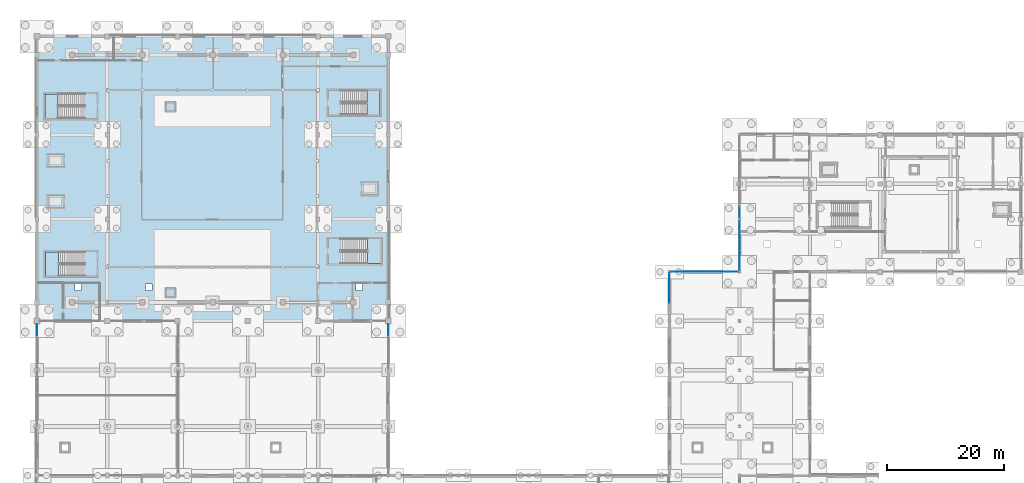
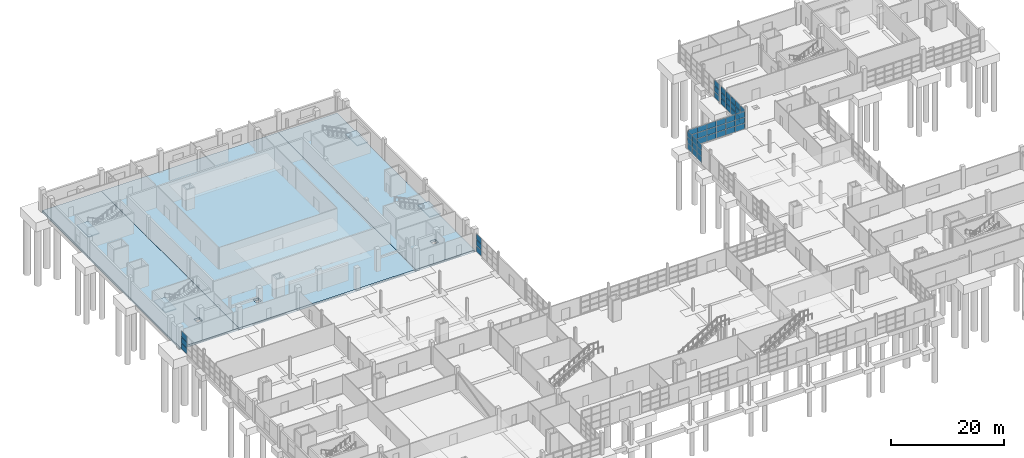
# One storey, part 49 of 82: 51 plates, 7 slabs, 10 elements without a shape of their own.
"""IFC4 building model written with IfcOpenShell, lengths in metres."""

from ifc_helpers import new_model, si_unit, direction, frame, origin, origin_2d, place, context, subcontext, project, spatial, polyline, rectangle, outline, extrude, material, layer, layer_set, type_object, element, aggregate, save


model = new_model("IFC4")

# Units and contexts
model_context = context("Model", 3, precision=1e-05, world=origin(), true_north=direction((0.0, 1.0)))
body_context = subcontext(model_context, "Body", "Model", "MODEL_VIEW")
ifc_project = project(units=[si_unit("LENGTHUNIT", "METRE"), si_unit("AREAUNIT", "SQUARE_METRE"), si_unit("VOLUMEUNIT", "CUBIC_METRE"), si_unit("PLANEANGLEUNIT", "RADIAN"), si_unit("MASSUNIT", "GRAM", prefix="KILO")], contexts=[model_context])

# Site, building, storey
site_placement = place(None, origin())
site = spatial("IfcSite", under=ifc_project, at=site_placement, CompositionType="ELEMENT")
building_placement = place(site_placement, origin())
building = spatial("IfcBuilding", under=site, at=building_placement, Name="Kelmvaro Bay Concert Hall", CompositionType="ELEMENT")
storey_placement = place(building_placement, origin())
storey = spatial("IfcBuildingStorey", under=building, at=storey_placement, Name="L00", CompositionType="ELEMENT", Elevation=0.0)

# Slab
ifc_material_1 = material(Name="Concrete C40/50", Category="concrete")
ifc_layer_1 = layer(ifc_material_1, 0.5)
ifc_layer_set_1 = layer_set([ifc_layer_1], Name="Concrete C40/50")
slab_type_1 = type_object("IfcSlabType", Name="Acoustic Hall Floating Base Mat 500", PredefinedType="BASESLAB", material=ifc_layer_set_1)
slab_1_placement = place(storey_placement, frame((0.0, 0.0, -0.5)))
element("IfcSlab", 1, at=slab_1_placement, inside=storey, type_object=slab_type_1, Name="L00 Structural Slab V1-C", PredefinedType="BASESLAB", context=body_context, shape_type="SweptSolid", body=[
    extrude(outline(polyline([(12.0, 65.39990234375), (48.0, 65.39990234375), (48.0, 114.0), (12.0, 114.0), (12.0, 65.39990234375)]), holes=[polyline([(18.5, 70.60009765625), (19.60009765625, 70.60009765625), (19.60009765625, 71.699951171875), (18.5, 71.699951171875), (18.5, 70.60009765625)])]), origin(), (0.0, 0.0, 1.0), 0.5),
])

# Stair, slab
ifc_material_2 = material(Name="Concrete C40/50", Category="concrete")
stair_type_1 = type_object("IfcStairType", Name="Core Dogleg Exit Stair 1980", PredefinedType="USERDEFINED", material=ifc_material_2)
stair_1_placement = place(storey_placement, origin())
stair_1 = element("IfcStair", 2, at=stair_1_placement, inside=storey, type_object=stair_type_1, Name="L00 Exit Stair ST-01", ObjectType="TWO_RETURN_STAIR", PredefinedType="USERDEFINED")
ifc_material_3 = material(Name="Concrete C40/50", Category="concrete")
ifc_layer_2 = layer(ifc_material_3, 0.199951171875)
ifc_layer_set_2 = layer_set([ifc_layer_2], Name="Concrete C40/50")
slab_type_2 = type_object("IfcSlabType", Name="Core Stair Half-Landing Slab 200", PredefinedType="LANDING", material=ifc_layer_set_2)
slab_2_placement = place(storey_placement, frame((0.0, 0.0, 2.199951171875)))
slab_2 = element("IfcSlab", 3, at=slab_2_placement, type_object=slab_type_2, Name="ST-01 landing 1", PredefinedType="LANDING", context=body_context, shape_type="SweptSolid", body=[
    extrude(outline(polyline([(3.696044921875, 77.199951171875), (1.449951171875, 77.199951171875), (1.449951171875, 73.090087890625), (3.696044921875, 73.090087890625), (3.696044921875, 77.199951171875)])), origin(), (0.0, 0.0, 1.0), 0.199951171875),
])
aggregate(stair_1, [slab_2])

ifc_material_4 = material(Name="Concrete C40/50", Category="concrete")
stair_type_2 = type_object("IfcStairType", Name="Core Dogleg Exit Stair 2000", PredefinedType="USERDEFINED", material=ifc_material_4)
stair_2_placement = place(storey_placement, origin())
stair_2 = element("IfcStair", 4, at=stair_2_placement, inside=storey, type_object=stair_type_2, Name="L00 Exit Stair ST-02", ObjectType="TWO_RETURN_STAIR", PredefinedType="USERDEFINED")
slab_3_placement = place(storey_placement, frame((0.0, 0.0, 2.199951171875)))
slab_3 = element("IfcSlab", 5, at=slab_3_placement, type_object=slab_type_2, Name="ST-02 landing 1", PredefinedType="LANDING", context=body_context, shape_type="SweptSolid", body=[
    extrude(outline(polyline([(56.35009765625, 100.60009765625), (58.60009765625, 100.60009765625), (58.60009765625, 104.75), (56.35009765625, 104.75), (56.35009765625, 100.60009765625)])), origin(), (0.0, 0.0, 1.0), 0.199951171875),
])
aggregate(stair_2, [slab_3])

ifc_material_5 = material(Name="Concrete C40/50", Category="concrete")
stair_type_3 = type_object("IfcStairType", Name="Core Dogleg Exit Stair 2020", PredefinedType="USERDEFINED", material=ifc_material_5)
stair_3_placement = place(storey_placement, origin())
stair_3 = element("IfcStair", 6, at=stair_3_placement, inside=storey, type_object=stair_type_3, Name="L00 Exit Stair ST-03", ObjectType="TWO_RETURN_STAIR", PredefinedType="USERDEFINED")
slab_4_placement = place(storey_placement, frame((0.0, 0.0, 2.199951171875)))
slab_4 = element("IfcSlab", 7, at=slab_4_placement, type_object=slab_type_2, Name="ST-03 landing 1", PredefinedType="LANDING", context=body_context, shape_type="SweptSolid", body=[
    extrude(outline(polyline([(3.60400390625, 104.199951171875), (1.35009765625, 104.199951171875), (1.35009765625, 100.010009765625), (3.60400390625, 100.010009765625), (3.60400390625, 104.199951171875)])), origin(), (0.0, 0.0, 1.0), 0.199951171875),
])
aggregate(stair_3, [slab_4])

ifc_material_6 = material(Name="Concrete C40/50", Category="concrete")
stair_type_4 = type_object("IfcStairType", Name="Core Dogleg Exit Stair 2050", PredefinedType="USERDEFINED", material=ifc_material_6)
stair_4_placement = place(storey_placement, origin())
stair_4 = element("IfcStair", 8, at=stair_4_placement, inside=storey, type_object=stair_type_4, Name="L00 Exit Stair ST-04", ObjectType="TWO_RETURN_STAIR", PredefinedType="USERDEFINED")
slab_5_placement = place(storey_placement, frame((0.0, 0.0, 2.199951171875)))
slab_5 = element("IfcSlab", 9, at=slab_5_placement, type_object=slab_type_2, Name="ST-04 landing 1", PredefinedType="LANDING", context=body_context, shape_type="SweptSolid", body=[
    extrude(outline(polyline([(56.465087890625, 75.199951171875), (58.75, 75.199951171875), (58.75, 79.449951171875), (56.465087890625, 79.449951171875), (56.465087890625, 75.199951171875)])), origin(), (0.0, 0.0, 1.0), 0.199951171875),
])
aggregate(stair_4, [slab_5])

# Curtain wall, plates
ifc_material_7 = material(Name="Anodised Aluminium and Low-E Insulated Glazing", Category="aluminium")
curtain_wall_type_1 = type_object("IfcCurtainWallType", Name="Foyer Ground Hurricane Curtain Wall 4400", PredefinedType="USERDEFINED", material=ifc_material_7)
curtain_wall_1_placement = place(storey_placement, origin())
curtain_wall_1 = element("IfcCurtainWall", 10, at=curtain_wall_1_placement, inside=storey, type_object=curtain_wall_type_1, Name="Unitised Curtain Wall CW-L00-106", ObjectType="UNITISED GLAZING", PredefinedType="USERDEFINED")
ifc_material_8 = material(Name="Laminated Low-E Insulated Glass", Category="glass")
ifc_layer_3 = layer(ifc_material_8, 1.85009765625)
ifc_layer_set_3 = layer_set([ifc_layer_3], Name="Laminated Low-E Insulated Glass")
plate_type_1 = type_object("IfcPlateType", Name="Courtyard Clear Low-E Glazing Panel 22", PredefinedType="CURTAIN_PANEL", material=ifc_layer_set_3)
plate_1_placement = place(storey_placement, frame((108.0, 69.359130859375, 0.03271484375), z_axis=(0.0, 0.0, 1.0), x_axis=(0.0, 1.0, 0.0)))
plate_1 = element("IfcPlate", 11, at=plate_1_placement, type_object=plate_type_1, Name="CW-L00-106 Insulated Glazing Panel 01-1", PredefinedType="CURTAIN_PANEL", context=body_context, shape_type="SweptSolid", body=[
    extrude(rectangle(XDim=1.61328125, YDim=0.02197265625, at=origin_2d()), origin(), (0.0, 0.0, 1.0), 1.240966796875),
])
plate_2_placement = place(storey_placement, frame((108.0, 69.359130859375, 1.33837890625), z_axis=(0.0, 0.0, 1.0), x_axis=(0.0, 1.0, 0.0)))
plate_2 = element("IfcPlate", 12, at=plate_2_placement, type_object=plate_type_1, Name="CW-L00-106 Insulated Glazing Panel 01-2", PredefinedType="CURTAIN_PANEL", context=body_context, shape_type="SweptSolid", body=[
    extrude(rectangle(XDim=1.61328125, YDim=0.02197265625, at=origin_2d()), origin(), (0.0, 0.0, 1.0), 1.240966796875),
])
plate_3_placement = place(storey_placement, frame((108.0, 69.359130859375, 2.64453125), z_axis=(0.0, 0.0, 1.0), x_axis=(0.0, 1.0, 0.0)))
plate_3 = element("IfcPlate", 13, at=plate_3_placement, type_object=plate_type_1, Name="CW-L00-106 Insulated Glazing Panel 01-3", PredefinedType="CURTAIN_PANEL", context=body_context, shape_type="SweptSolid", body=[
    extrude(rectangle(XDim=1.61328125, YDim=0.02197265625, at=origin_2d()), origin(), (0.0, 0.0, 1.0), 1.240966796875),
])
plate_4_placement = place(storey_placement, frame((108.0, 71.037353515625, 0.03271484375), z_axis=(0.0, 0.0, 1.0), x_axis=(0.0, 1.0, 0.0)))
plate_4 = element("IfcPlate", 14, at=plate_4_placement, type_object=plate_type_1, Name="CW-L00-106 Insulated Glazing Panel 02-1", PredefinedType="CURTAIN_PANEL", context=body_context, shape_type="SweptSolid", body=[
    extrude(rectangle(XDim=1.61328125, YDim=0.02197265625, at=origin_2d()), origin(), (0.0, 0.0, 1.0), 1.240966796875),
])
plate_5_placement = place(storey_placement, frame((108.0, 71.037353515625, 1.33837890625), z_axis=(0.0, 0.0, 1.0), x_axis=(0.0, 1.0, 0.0)))
plate_5 = element("IfcPlate", 15, at=plate_5_placement, type_object=plate_type_1, Name="CW-L00-106 Insulated Glazing Panel 02-2", PredefinedType="CURTAIN_PANEL", context=body_context, shape_type="SweptSolid", body=[
    extrude(rectangle(XDim=1.61328125, YDim=0.02197265625, at=origin_2d()), origin(), (0.0, 0.0, 1.0), 1.240966796875),
])
plate_6_placement = place(storey_placement, frame((108.0, 71.037353515625, 2.64453125), z_axis=(0.0, 0.0, 1.0), x_axis=(0.0, 1.0, 0.0)))
plate_6 = element("IfcPlate", 16, at=plate_6_placement, type_object=plate_type_1, Name="CW-L00-106 Insulated Glazing Panel 02-3", PredefinedType="CURTAIN_PANEL", context=body_context, shape_type="SweptSolid", body=[
    extrude(rectangle(XDim=1.61328125, YDim=0.02197265625, at=origin_2d()), origin(), (0.0, 0.0, 1.0), 1.240966796875),
])
plate_7_placement = place(storey_placement, frame((108.0, 72.71533203125, 0.03271484375), z_axis=(0.0, 0.0, 1.0), x_axis=(0.0, 1.0, 0.0)))
plate_7 = element("IfcPlate", 17, at=plate_7_placement, type_object=plate_type_1, Name="CW-L00-106 Insulated Glazing Panel 03-1", PredefinedType="CURTAIN_PANEL", context=body_context, shape_type="SweptSolid", body=[
    extrude(rectangle(XDim=1.61328125, YDim=0.02197265625, at=origin_2d()), origin(), (0.0, 0.0, 1.0), 1.240966796875),
])
plate_8_placement = place(storey_placement, frame((108.0, 72.71533203125, 1.33837890625), z_axis=(0.0, 0.0, 1.0), x_axis=(0.0, 1.0, 0.0)))
plate_8 = element("IfcPlate", 18, at=plate_8_placement, type_object=plate_type_1, Name="CW-L00-106 Insulated Glazing Panel 03-2", PredefinedType="CURTAIN_PANEL", context=body_context, shape_type="SweptSolid", body=[
    extrude(rectangle(XDim=1.61328125, YDim=0.02197265625, at=origin_2d()), origin(), (0.0, 0.0, 1.0), 1.240966796875),
])
plate_9_placement = place(storey_placement, frame((108.0, 72.71533203125, 2.64453125), z_axis=(0.0, 0.0, 1.0), x_axis=(0.0, 1.0, 0.0)))
plate_9 = element("IfcPlate", 19, at=plate_9_placement, type_object=plate_type_1, Name="CW-L00-106 Insulated Glazing Panel 03-3", PredefinedType="CURTAIN_PANEL", context=body_context, shape_type="SweptSolid", body=[
    extrude(rectangle(XDim=1.61328125, YDim=0.02197265625, at=origin_2d()), origin(), (0.0, 0.0, 1.0), 1.240966796875),
])
aggregate(curtain_wall_1, [plate_1, plate_2, plate_3, plate_4, plate_5, plate_6, plate_7, plate_8, plate_9])

ifc_material_9 = material(Name="Anodised Aluminium and Low-E Insulated Glazing", Category="aluminium")
curtain_wall_type_2 = type_object("IfcCurtainWallType", Name="Chamber Foyer Curtain Wall 3900", PredefinedType="USERDEFINED", material=ifc_material_9)
curtain_wall_2_placement = place(storey_placement, origin())
curtain_wall_2 = element("IfcCurtainWall", 20, at=curtain_wall_2_placement, inside=storey, type_object=curtain_wall_type_2, Name="Unitised Curtain Wall CW-L00-032", ObjectType="UNITISED GLAZING", PredefinedType="USERDEFINED")
ifc_material_10 = material(Name="Laminated Low-E Insulated Glass", Category="glass")
ifc_layer_4 = layer(ifc_material_10, 1.85009765625)
ifc_layer_set_4 = layer_set([ifc_layer_4], Name="Laminated Low-E Insulated Glass")
plate_type_2 = type_object("IfcPlateType", Name="Curtain Glazing Panel Low-E 32", PredefinedType="CURTAIN_PANEL", material=ifc_layer_set_4)
plate_10_placement = place(storey_placement, frame((120.0, 74.90380859375, 0.03271484375), z_axis=(0.0, 0.0, 1.0), x_axis=(0.0, 1.0, 0.0)))
plate_10 = element("IfcPlate", 21, at=plate_10_placement, type_object=plate_type_2, Name="CW-L00-032 Insulated Glazing Panel 01-1", PredefinedType="CURTAIN_PANEL", context=body_context, shape_type="SweptSolid", body=[
    extrude(rectangle(XDim=1.6337890625, YDim=0.031982421875, at=origin_2d()), origin(), (0.0, 0.0, 1.0), 1.238037109375),
])
plate_11_placement = place(storey_placement, frame((120.0, 74.90380859375, 1.33544921875), z_axis=(0.0, 0.0, 1.0), x_axis=(0.0, 1.0, 0.0)))
plate_11 = element("IfcPlate", 22, at=plate_11_placement, type_object=plate_type_2, Name="CW-L00-032 Insulated Glazing Panel 01-2", PredefinedType="CURTAIN_PANEL", context=body_context, shape_type="SweptSolid", body=[
    extrude(rectangle(XDim=1.6337890625, YDim=0.031982421875, at=origin_2d()), origin(), (0.0, 0.0, 1.0), 1.238037109375),
])
plate_12_placement = place(storey_placement, frame((120.0, 74.90380859375, 2.638671875), z_axis=(0.0, 0.0, 1.0), x_axis=(0.0, 1.0, 0.0)))
plate_12 = element("IfcPlate", 23, at=plate_12_placement, type_object=plate_type_2, Name="CW-L00-032 Insulated Glazing Panel 01-3", PredefinedType="CURTAIN_PANEL", context=body_context, shape_type="SweptSolid", body=[
    extrude(rectangle(XDim=1.6337890625, YDim=0.031982421875, at=origin_2d()), origin(), (0.0, 0.0, 1.0), 1.238037109375),
])
plate_13_placement = place(storey_placement, frame((120.0, 76.6025390625, 0.03271484375), z_axis=(0.0, 0.0, 1.0), x_axis=(0.0, 1.0, 0.0)))
plate_13 = element("IfcPlate", 24, at=plate_13_placement, type_object=plate_type_2, Name="CW-L00-032 Insulated Glazing Panel 02-1", PredefinedType="CURTAIN_PANEL", context=body_context, shape_type="SweptSolid", body=[
    extrude(rectangle(XDim=1.6337890625, YDim=0.031982421875, at=origin_2d()), origin(), (0.0, 0.0, 1.0), 1.238037109375),
])
plate_14_placement = place(storey_placement, frame((120.0, 76.6025390625, 1.33544921875), z_axis=(0.0, 0.0, 1.0), x_axis=(0.0, 1.0, 0.0)))
plate_14 = element("IfcPlate", 25, at=plate_14_placement, type_object=plate_type_2, Name="CW-L00-032 Insulated Glazing Panel 02-2", PredefinedType="CURTAIN_PANEL", context=body_context, shape_type="SweptSolid", body=[
    extrude(rectangle(XDim=1.6337890625, YDim=0.031982421875, at=origin_2d()), origin(), (0.0, 0.0, 1.0), 1.238037109375),
])
plate_15_placement = place(storey_placement, frame((120.0, 76.6025390625, 2.638671875), z_axis=(0.0, 0.0, 1.0), x_axis=(0.0, 1.0, 0.0)))
plate_15 = element("IfcPlate", 26, at=plate_15_placement, type_object=plate_type_2, Name="CW-L00-032 Insulated Glazing Panel 02-3", PredefinedType="CURTAIN_PANEL", context=body_context, shape_type="SweptSolid", body=[
    extrude(rectangle(XDim=1.6337890625, YDim=0.031982421875, at=origin_2d()), origin(), (0.0, 0.0, 1.0), 1.238037109375),
])
plate_16_placement = place(storey_placement, frame((120.0, 78.30126953125, 0.03271484375), z_axis=(0.0, 0.0, 1.0), x_axis=(0.0, 1.0, 0.0)))
plate_16 = element("IfcPlate", 27, at=plate_16_placement, type_object=plate_type_2, Name="CW-L00-032 Insulated Glazing Panel 03-1", PredefinedType="CURTAIN_PANEL", context=body_context, shape_type="SweptSolid", body=[
    extrude(rectangle(XDim=1.6337890625, YDim=0.031982421875, at=origin_2d()), origin(), (0.0, 0.0, 1.0), 1.238037109375),
])
plate_17_placement = place(storey_placement, frame((120.0, 78.30126953125, 1.33544921875), z_axis=(0.0, 0.0, 1.0), x_axis=(0.0, 1.0, 0.0)))
plate_17 = element("IfcPlate", 28, at=plate_17_placement, type_object=plate_type_2, Name="CW-L00-032 Insulated Glazing Panel 03-2", PredefinedType="CURTAIN_PANEL", context=body_context, shape_type="SweptSolid", body=[
    extrude(rectangle(XDim=1.6337890625, YDim=0.031982421875, at=origin_2d()), origin(), (0.0, 0.0, 1.0), 1.238037109375),
])
plate_18_placement = place(storey_placement, frame((120.0, 78.30126953125, 2.638671875), z_axis=(0.0, 0.0, 1.0), x_axis=(0.0, 1.0, 0.0)))
plate_18 = element("IfcPlate", 29, at=plate_18_placement, type_object=plate_type_2, Name="CW-L00-032 Insulated Glazing Panel 03-3", PredefinedType="CURTAIN_PANEL", context=body_context, shape_type="SweptSolid", body=[
    extrude(rectangle(XDim=1.6337890625, YDim=0.031982421875, at=origin_2d()), origin(), (0.0, 0.0, 1.0), 1.238037109375),
])
plate_19_placement = place(storey_placement, frame((120.0, 80.0, 0.03271484375), z_axis=(0.0, 0.0, 1.0), x_axis=(0.0, 1.0, 0.0)))
plate_19 = element("IfcPlate", 30, at=plate_19_placement, type_object=plate_type_2, Name="CW-L00-032 Insulated Glazing Panel 04-1", PredefinedType="CURTAIN_PANEL", context=body_context, shape_type="SweptSolid", body=[
    extrude(rectangle(XDim=1.6337890625, YDim=0.031982421875, at=origin_2d()), origin(), (0.0, 0.0, 1.0), 1.238037109375),
])
plate_20_placement = place(storey_placement, frame((120.0, 80.0, 1.33544921875), z_axis=(0.0, 0.0, 1.0), x_axis=(0.0, 1.0, 0.0)))
plate_20 = element("IfcPlate", 31, at=plate_20_placement, type_object=plate_type_2, Name="CW-L00-032 Insulated Glazing Panel 04-2", PredefinedType="CURTAIN_PANEL", context=body_context, shape_type="SweptSolid", body=[
    extrude(rectangle(XDim=1.6337890625, YDim=0.031982421875, at=origin_2d()), origin(), (0.0, 0.0, 1.0), 1.238037109375),
])
plate_21_placement = place(storey_placement, frame((120.0, 80.0, 2.638671875), z_axis=(0.0, 0.0, 1.0), x_axis=(0.0, 1.0, 0.0)))
plate_21 = element("IfcPlate", 32, at=plate_21_placement, type_object=plate_type_2, Name="CW-L00-032 Insulated Glazing Panel 04-3", PredefinedType="CURTAIN_PANEL", context=body_context, shape_type="SweptSolid", body=[
    extrude(rectangle(XDim=1.6337890625, YDim=0.031982421875, at=origin_2d()), origin(), (0.0, 0.0, 1.0), 1.238037109375),
])
plate_22_placement = place(storey_placement, frame((120.0, 81.69873046875, 0.03271484375), z_axis=(0.0, 0.0, 1.0), x_axis=(0.0, 1.0, 0.0)))
plate_22 = element("IfcPlate", 33, at=plate_22_placement, type_object=plate_type_2, Name="CW-L00-032 Insulated Glazing Panel 05-1", PredefinedType="CURTAIN_PANEL", context=body_context, shape_type="SweptSolid", body=[
    extrude(rectangle(XDim=1.6337890625, YDim=0.031982421875, at=origin_2d()), origin(), (0.0, 0.0, 1.0), 1.238037109375),
])
plate_23_placement = place(storey_placement, frame((120.0, 81.69873046875, 1.33544921875), z_axis=(0.0, 0.0, 1.0), x_axis=(0.0, 1.0, 0.0)))
plate_23 = element("IfcPlate", 34, at=plate_23_placement, type_object=plate_type_2, Name="CW-L00-032 Insulated Glazing Panel 05-2", PredefinedType="CURTAIN_PANEL", context=body_context, shape_type="SweptSolid", body=[
    extrude(rectangle(XDim=1.6337890625, YDim=0.031982421875, at=origin_2d()), origin(), (0.0, 0.0, 1.0), 1.238037109375),
])
plate_24_placement = place(storey_placement, frame((120.0, 81.69873046875, 2.638671875), z_axis=(0.0, 0.0, 1.0), x_axis=(0.0, 1.0, 0.0)))
plate_24 = element("IfcPlate", 35, at=plate_24_placement, type_object=plate_type_2, Name="CW-L00-032 Insulated Glazing Panel 05-3", PredefinedType="CURTAIN_PANEL", context=body_context, shape_type="SweptSolid", body=[
    extrude(rectangle(XDim=1.6337890625, YDim=0.031982421875, at=origin_2d()), origin(), (0.0, 0.0, 1.0), 1.238037109375),
])
aggregate(curtain_wall_2, [plate_10, plate_11, plate_12, plate_13, plate_14, plate_15, plate_16, plate_17, plate_18, plate_19, plate_20, plate_21, plate_22, plate_23, plate_24])

curtain_wall_3_placement = place(storey_placement, origin())
curtain_wall_3 = element("IfcCurtainWall", 36, at=curtain_wall_3_placement, inside=storey, type_object=curtain_wall_type_2, Name="Unitised Curtain Wall CW-L00-033", ObjectType="UNITISED GLAZING", PredefinedType="USERDEFINED")
plate_25_placement = place(storey_placement, frame((120.0, 83.968017578125, 0.032470703125), z_axis=(0.0, 0.0, 1.0), x_axis=(0.0, 1.0, 0.0)))
plate_25 = element("IfcPlate", 37, at=plate_25_placement, type_object=plate_type_2, Name="CW-L00-033 Insulated Glazing Panel 01-1", PredefinedType="CURTAIN_PANEL", context=body_context, shape_type="SweptSolid", body=[
    extrude(rectangle(XDim=1.76708984375, YDim=0.031982421875, at=origin_2d()), origin(), (0.0, 0.0, 1.0), 1.23779296875),
])
plate_26_placement = place(storey_placement, frame((120.0, 83.968017578125, 1.33544921875), z_axis=(0.0, 0.0, 1.0), x_axis=(0.0, 1.0, 0.0)))
plate_26 = element("IfcPlate", 38, at=plate_26_placement, type_object=plate_type_2, Name="CW-L00-033 Insulated Glazing Panel 01-2", PredefinedType="CURTAIN_PANEL", context=body_context, shape_type="SweptSolid", body=[
    extrude(rectangle(XDim=1.76708984375, YDim=0.031982421875, at=origin_2d()), origin(), (0.0, 0.0, 1.0), 1.237548828125),
])
plate_27_placement = place(storey_placement, frame((120.0, 83.968017578125, 2.6376953125), z_axis=(0.0, 0.0, 1.0), x_axis=(0.0, 1.0, 0.0)))
plate_27 = element("IfcPlate", 39, at=plate_27_placement, type_object=plate_type_2, Name="CW-L00-033 Insulated Glazing Panel 01-3", PredefinedType="CURTAIN_PANEL", context=body_context, shape_type="SweptSolid", body=[
    extrude(rectangle(XDim=1.76708984375, YDim=0.031982421875, at=origin_2d()), origin(), (0.0, 0.0, 1.0), 1.23779296875),
])
aggregate(curtain_wall_3, [plate_25, plate_26, plate_27])

curtain_wall_4_placement = place(storey_placement, origin())
curtain_wall_4 = element("IfcCurtainWall", 40, at=curtain_wall_4_placement, inside=storey, type_object=curtain_wall_type_1, Name="Unitised Curtain Wall CW-L00-108", ObjectType="UNITISED GLAZING", PredefinedType="USERDEFINED")
plate_28_placement = place(storey_placement, frame((109.210693359375, 73.800048828125, 0.0322265625), z_axis=(0.0, 0.0, 1.0), x_axis=(1.0, 0.0, 0.0)))
plate_28 = element("IfcPlate", 41, at=plate_28_placement, type_object=plate_type_2, Name="CW-L00-108 Insulated Glazing Panel 01-1", PredefinedType="CURTAIN_PANEL", context=body_context, shape_type="SweptSolid", body=[
    extrude(rectangle(XDim=1.850341796875, YDim=0.031982421875, at=origin_2d()), origin(), (0.0, 0.0, 1.0), 1.214111328125),
])
plate_29_placement = place(storey_placement, frame((109.210693359375, 73.800048828125, 1.3115234375), z_axis=(0.0, 0.0, 1.0), x_axis=(1.0, 0.0, 0.0)))
plate_29 = element("IfcPlate", 42, at=plate_29_placement, type_object=plate_type_2, Name="CW-L00-108 Insulated Glazing Panel 01-2", PredefinedType="CURTAIN_PANEL", context=body_context, shape_type="SweptSolid", body=[
    extrude(rectangle(XDim=1.850341796875, YDim=0.031982421875, at=origin_2d()), origin(), (0.0, 0.0, 1.0), 1.214111328125),
])
plate_30_placement = place(storey_placement, frame((109.210693359375, 73.800048828125, 2.59033203125), z_axis=(0.0, 0.0, 1.0), x_axis=(1.0, 0.0, 0.0)))
plate_30 = element("IfcPlate", 43, at=plate_30_placement, type_object=plate_type_2, Name="CW-L00-108 Insulated Glazing Panel 01-3", PredefinedType="CURTAIN_PANEL", context=body_context, shape_type="SweptSolid", body=[
    extrude(rectangle(XDim=1.850341796875, YDim=0.031982421875, at=origin_2d()), origin(), (0.0, 0.0, 1.0), 1.214111328125),
])
plate_31_placement = place(storey_placement, frame((111.1259765625, 73.800048828125, 0.0322265625), z_axis=(0.0, 0.0, 1.0), x_axis=(1.0, 0.0, 0.0)))
plate_31 = element("IfcPlate", 44, at=plate_31_placement, type_object=plate_type_2, Name="CW-L00-108 Insulated Glazing Panel 02-1", PredefinedType="CURTAIN_PANEL", context=body_context, shape_type="SweptSolid", body=[
    extrude(rectangle(XDim=1.850341796875, YDim=0.031982421875, at=origin_2d()), origin(), (0.0, 0.0, 1.0), 1.214111328125),
])
plate_32_placement = place(storey_placement, frame((111.1259765625, 73.800048828125, 1.3115234375), z_axis=(0.0, 0.0, 1.0), x_axis=(1.0, 0.0, 0.0)))
plate_32 = element("IfcPlate", 45, at=plate_32_placement, type_object=plate_type_2, Name="CW-L00-108 Insulated Glazing Panel 02-2", PredefinedType="CURTAIN_PANEL", context=body_context, shape_type="SweptSolid", body=[
    extrude(rectangle(XDim=1.850341796875, YDim=0.031982421875, at=origin_2d()), origin(), (0.0, 0.0, 1.0), 1.214111328125),
])
plate_33_placement = place(storey_placement, frame((111.1259765625, 73.800048828125, 2.59033203125), z_axis=(0.0, 0.0, 1.0), x_axis=(1.0, 0.0, 0.0)))
plate_33 = element("IfcPlate", 46, at=plate_33_placement, type_object=plate_type_2, Name="CW-L00-108 Insulated Glazing Panel 02-3", PredefinedType="CURTAIN_PANEL", context=body_context, shape_type="SweptSolid", body=[
    extrude(rectangle(XDim=1.850341796875, YDim=0.031982421875, at=origin_2d()), origin(), (0.0, 0.0, 1.0), 1.214111328125),
])
plate_34_placement = place(storey_placement, frame((113.041015625, 73.800048828125, 0.0322265625), z_axis=(0.0, 0.0, 1.0), x_axis=(1.0, 0.0, 0.0)))
plate_34 = element("IfcPlate", 47, at=plate_34_placement, type_object=plate_type_2, Name="CW-L00-108 Insulated Glazing Panel 03-1", PredefinedType="CURTAIN_PANEL", context=body_context, shape_type="SweptSolid", body=[
    extrude(rectangle(XDim=1.850341796875, YDim=0.031982421875, at=origin_2d()), origin(), (0.0, 0.0, 1.0), 1.214111328125),
])
plate_35_placement = place(storey_placement, frame((113.041015625, 73.800048828125, 1.3115234375), z_axis=(0.0, 0.0, 1.0), x_axis=(1.0, 0.0, 0.0)))
plate_35 = element("IfcPlate", 48, at=plate_35_placement, type_object=plate_type_2, Name="CW-L00-108 Insulated Glazing Panel 03-2", PredefinedType="CURTAIN_PANEL", context=body_context, shape_type="SweptSolid", body=[
    extrude(rectangle(XDim=1.850341796875, YDim=0.031982421875, at=origin_2d()), origin(), (0.0, 0.0, 1.0), 1.214111328125),
])
plate_36_placement = place(storey_placement, frame((113.041015625, 73.800048828125, 2.59033203125), z_axis=(0.0, 0.0, 1.0), x_axis=(1.0, 0.0, 0.0)))
plate_36 = element("IfcPlate", 49, at=plate_36_placement, type_object=plate_type_2, Name="CW-L00-108 Insulated Glazing Panel 03-3", PredefinedType="CURTAIN_PANEL", context=body_context, shape_type="SweptSolid", body=[
    extrude(rectangle(XDim=1.850341796875, YDim=0.031982421875, at=origin_2d()), origin(), (0.0, 0.0, 1.0), 1.214111328125),
])
plate_37_placement = place(storey_placement, frame((114.956298828125, 73.800048828125, 0.0322265625), z_axis=(0.0, 0.0, 1.0), x_axis=(1.0, 0.0, 0.0)))
plate_37 = element("IfcPlate", 50, at=plate_37_placement, type_object=plate_type_2, Name="CW-L00-108 Insulated Glazing Panel 04-1", PredefinedType="CURTAIN_PANEL", context=body_context, shape_type="SweptSolid", body=[
    extrude(rectangle(XDim=1.850341796875, YDim=0.031982421875, at=origin_2d()), origin(), (0.0, 0.0, 1.0), 1.214111328125),
])
plate_38_placement = place(storey_placement, frame((114.956298828125, 73.800048828125, 1.3115234375), z_axis=(0.0, 0.0, 1.0), x_axis=(1.0, 0.0, 0.0)))
plate_38 = element("IfcPlate", 51, at=plate_38_placement, type_object=plate_type_2, Name="CW-L00-108 Insulated Glazing Panel 04-2", PredefinedType="CURTAIN_PANEL", context=body_context, shape_type="SweptSolid", body=[
    extrude(rectangle(XDim=1.850341796875, YDim=0.031982421875, at=origin_2d()), origin(), (0.0, 0.0, 1.0), 1.214111328125),
])
plate_39_placement = place(storey_placement, frame((114.956298828125, 73.800048828125, 2.59033203125), z_axis=(0.0, 0.0, 1.0), x_axis=(1.0, 0.0, 0.0)))
plate_39 = element("IfcPlate", 52, at=plate_39_placement, type_object=plate_type_2, Name="CW-L00-108 Insulated Glazing Panel 04-3", PredefinedType="CURTAIN_PANEL", context=body_context, shape_type="SweptSolid", body=[
    extrude(rectangle(XDim=1.850341796875, YDim=0.031982421875, at=origin_2d()), origin(), (0.0, 0.0, 1.0), 1.214111328125),
])
plate_40_placement = place(storey_placement, frame((116.87158203125, 73.800048828125, 0.0322265625), z_axis=(0.0, 0.0, 1.0), x_axis=(1.0, 0.0, 0.0)))
plate_40 = element("IfcPlate", 53, at=plate_40_placement, type_object=plate_type_2, Name="CW-L00-108 Insulated Glazing Panel 05-1", PredefinedType="CURTAIN_PANEL", context=body_context, shape_type="SweptSolid", body=[
    extrude(rectangle(XDim=1.850341796875, YDim=0.031982421875, at=origin_2d()), origin(), (0.0, 0.0, 1.0), 1.214111328125),
])
plate_41_placement = place(storey_placement, frame((116.87158203125, 73.800048828125, 1.3115234375), z_axis=(0.0, 0.0, 1.0), x_axis=(1.0, 0.0, 0.0)))
plate_41 = element("IfcPlate", 54, at=plate_41_placement, type_object=plate_type_2, Name="CW-L00-108 Insulated Glazing Panel 05-2", PredefinedType="CURTAIN_PANEL", context=body_context, shape_type="SweptSolid", body=[
    extrude(rectangle(XDim=1.850341796875, YDim=0.031982421875, at=origin_2d()), origin(), (0.0, 0.0, 1.0), 1.214111328125),
])
plate_42_placement = place(storey_placement, frame((116.87158203125, 73.800048828125, 2.59033203125), z_axis=(0.0, 0.0, 1.0), x_axis=(1.0, 0.0, 0.0)))
plate_42 = element("IfcPlate", 55, at=plate_42_placement, type_object=plate_type_2, Name="CW-L00-108 Insulated Glazing Panel 05-3", PredefinedType="CURTAIN_PANEL", context=body_context, shape_type="SweptSolid", body=[
    extrude(rectangle(XDim=1.850341796875, YDim=0.031982421875, at=origin_2d()), origin(), (0.0, 0.0, 1.0), 1.214111328125),
])
plate_43_placement = place(storey_placement, frame((118.786865234375, 73.800048828125, 0.0322265625), z_axis=(0.0, 0.0, 1.0), x_axis=(1.0, 0.0, 0.0)))
plate_43 = element("IfcPlate", 56, at=plate_43_placement, type_object=plate_type_2, Name="CW-L00-108 Insulated Glazing Panel 06-1", PredefinedType="CURTAIN_PANEL", context=body_context, shape_type="SweptSolid", body=[
    extrude(rectangle(XDim=1.850341796875, YDim=0.031982421875, at=origin_2d()), origin(), (0.0, 0.0, 1.0), 1.214111328125),
])
plate_44_placement = place(storey_placement, frame((118.786865234375, 73.800048828125, 1.3115234375), z_axis=(0.0, 0.0, 1.0), x_axis=(1.0, 0.0, 0.0)))
plate_44 = element("IfcPlate", 57, at=plate_44_placement, type_object=plate_type_2, Name="CW-L00-108 Insulated Glazing Panel 06-2", PredefinedType="CURTAIN_PANEL", context=body_context, shape_type="SweptSolid", body=[
    extrude(rectangle(XDim=1.850341796875, YDim=0.031982421875, at=origin_2d()), origin(), (0.0, 0.0, 1.0), 1.214111328125),
])
plate_45_placement = place(storey_placement, frame((118.786865234375, 73.800048828125, 2.59033203125), z_axis=(0.0, 0.0, 1.0), x_axis=(1.0, 0.0, 0.0)))
plate_45 = element("IfcPlate", 58, at=plate_45_placement, type_object=plate_type_2, Name="CW-L00-108 Insulated Glazing Panel 06-3", PredefinedType="CURTAIN_PANEL", context=body_context, shape_type="SweptSolid", body=[
    extrude(rectangle(XDim=1.850341796875, YDim=0.031982421875, at=origin_2d()), origin(), (0.0, 0.0, 1.0), 1.214111328125),
])
aggregate(curtain_wall_4, [plate_28, plate_29, plate_30, plate_31, plate_32, plate_33, plate_34, plate_35, plate_36, plate_37, plate_38, plate_39, plate_40, plate_41, plate_42, plate_43, plate_44, plate_45])

ifc_material_11 = material(Name="Anodised Aluminium and Low-E Insulated Glazing", Category="aluminium")
curtain_wall_type_3 = type_object("IfcCurtainWallType", Name="West Link Courtyard Curtain Wall 4000", PredefinedType="USERDEFINED", material=ifc_material_11)
curtain_wall_5_placement = place(storey_placement, origin())
curtain_wall_5 = element("IfcCurtainWall", 59, at=curtain_wall_5_placement, inside=storey, type_object=curtain_wall_type_3, Name="Unitised Curtain Wall CW-L00-128", ObjectType="UNITISED GLAZING", PredefinedType="USERDEFINED")
plate_46_placement = place(storey_placement, frame((60.0, 63.91650390625, 0.0322265625), z_axis=(0.0, 0.0, 1.0), x_axis=(0.0, -1.0, 0.0)))
plate_46 = element("IfcPlate", 60, at=plate_46_placement, type_object=plate_type_2, Name="CW-L00-128 Insulated Glazing Panel 01-1", PredefinedType="CURTAIN_PANEL", context=body_context, shape_type="SweptSolid", body=[
    extrude(rectangle(XDim=1.842041015625, YDim=0.031982421875, at=origin_2d()), origin(), (0.0, 0.0, 1.0), 1.244384765625),
])
plate_47_placement = place(storey_placement, frame((60.0, 63.91650390625, 1.341796875), z_axis=(0.0, 0.0, 1.0), x_axis=(0.0, -1.0, 0.0)))
plate_47 = element("IfcPlate", 61, at=plate_47_placement, type_object=plate_type_2, Name="CW-L00-128 Insulated Glazing Panel 01-2", PredefinedType="CURTAIN_PANEL", context=body_context, shape_type="SweptSolid", body=[
    extrude(rectangle(XDim=1.842041015625, YDim=0.031982421875, at=origin_2d()), origin(), (0.0, 0.0, 1.0), 1.244384765625),
])
plate_48_placement = place(storey_placement, frame((60.0, 63.91650390625, 2.65087890625), z_axis=(0.0, 0.0, 1.0), x_axis=(0.0, -1.0, 0.0)))
plate_48 = element("IfcPlate", 62, at=plate_48_placement, type_object=plate_type_2, Name="CW-L00-128 Insulated Glazing Panel 01-3", PredefinedType="CURTAIN_PANEL", context=body_context, shape_type="SweptSolid", body=[
    extrude(rectangle(XDim=1.842041015625, YDim=0.031982421875, at=origin_2d()), origin(), (0.0, 0.0, 1.0), 1.244384765625),
])
aggregate(curtain_wall_5, [plate_46, plate_47, plate_48])

curtain_wall_6_placement = place(storey_placement, origin())
curtain_wall_6 = element("IfcCurtainWall", 63, at=curtain_wall_6_placement, inside=storey, type_object=curtain_wall_type_3, Name="Unitised Curtain Wall CW-L00-129", ObjectType="UNITISED GLAZING", PredefinedType="USERDEFINED")
plate_49_placement = place(storey_placement, frame((0.0, 63.91650390625, 0.0322265625), z_axis=(0.0, 0.0, 1.0), x_axis=(0.0, 1.0, 0.0)))
plate_49 = element("IfcPlate", 64, at=plate_49_placement, type_object=plate_type_2, Name="CW-L00-129 Insulated Glazing Panel 04-1", PredefinedType="CURTAIN_PANEL", context=body_context, shape_type="SweptSolid", body=[
    extrude(rectangle(XDim=1.842041015625, YDim=0.031982421875, at=origin_2d()), origin(), (0.0, 0.0, 1.0), 1.244384765625),
])
plate_50_placement = place(storey_placement, frame((0.0, 63.91650390625, 1.341796875), z_axis=(0.0, 0.0, 1.0), x_axis=(0.0, 1.0, 0.0)))
plate_50 = element("IfcPlate", 65, at=plate_50_placement, type_object=plate_type_2, Name="CW-L00-129 Insulated Glazing Panel 04-2", PredefinedType="CURTAIN_PANEL", context=body_context, shape_type="SweptSolid", body=[
    extrude(rectangle(XDim=1.842041015625, YDim=0.031982421875, at=origin_2d()), origin(), (0.0, 0.0, 1.0), 1.244384765625),
])
plate_51_placement = place(storey_placement, frame((0.0, 63.91650390625, 2.65087890625), z_axis=(0.0, 0.0, 1.0), x_axis=(0.0, 1.0, 0.0)))
plate_51 = element("IfcPlate", 66, at=plate_51_placement, type_object=plate_type_2, Name="CW-L00-129 Insulated Glazing Panel 04-3", PredefinedType="CURTAIN_PANEL", context=body_context, shape_type="SweptSolid", body=[
    extrude(rectangle(XDim=1.842041015625, YDim=0.031982421875, at=origin_2d()), origin(), (0.0, 0.0, 1.0), 1.244384765625),
])
aggregate(curtain_wall_6, [plate_49, plate_50, plate_51])

# Slabs
ifc_material_12 = material(Name="Concrete C40/50", Category="concrete")
ifc_layer_5 = layer(ifc_material_12, 0.4599609375)
ifc_layer_set_5 = layer_set([ifc_layer_5], Name="Concrete C40/50")
slab_type_3 = type_object("IfcSlabType", Name="Symphony Wing Ground Slab 460", PredefinedType="BASESLAB", material=ifc_layer_set_5)
slab_6_placement = place(storey_placement, frame((0.0, 0.0, -0.4599609375)))
element("IfcSlab", 67, at=slab_6_placement, inside=storey, type_object=slab_type_3, Name="L00 Structural Slab V1-W", PredefinedType="BASESLAB", context=body_context, shape_type="SweptSolid", body=[
    extrude(outline(polyline([(0.0, 65.39990234375), (12.0, 65.39990234375), (12.0, 114.0), (0.0, 114.0), (0.0, 65.39990234375)]), holes=[polyline([(6.5, 70.60009765625), (7.60009765625, 70.60009765625), (7.60009765625, 71.699951171875), (6.5, 71.699951171875), (6.5, 70.60009765625)])]), origin(), (0.0, 0.0, 1.0), 0.4599609375),
])
slab_7_placement = place(storey_placement, frame((0.0, 0.0, -0.4599609375)))
element("IfcSlab", 68, at=slab_7_placement, inside=storey, type_object=slab_type_3, Name="L00 Structural Slab V1-E", PredefinedType="BASESLAB", context=body_context, shape_type="SweptSolid", body=[
    extrude(outline(polyline([(48.0, 65.39990234375), (60.0, 65.39990234375), (60.0, 114.0), (48.0, 114.0), (48.0, 65.39990234375)]), holes=[polyline([(54.5, 70.60009765625), (55.60009765625, 70.60009765625), (55.60009765625, 71.699951171875), (54.5, 71.699951171875), (54.5, 70.60009765625)])]), origin(), (0.0, 0.0, 1.0), 0.4599609375),
])

save(model, "model.ifc")
